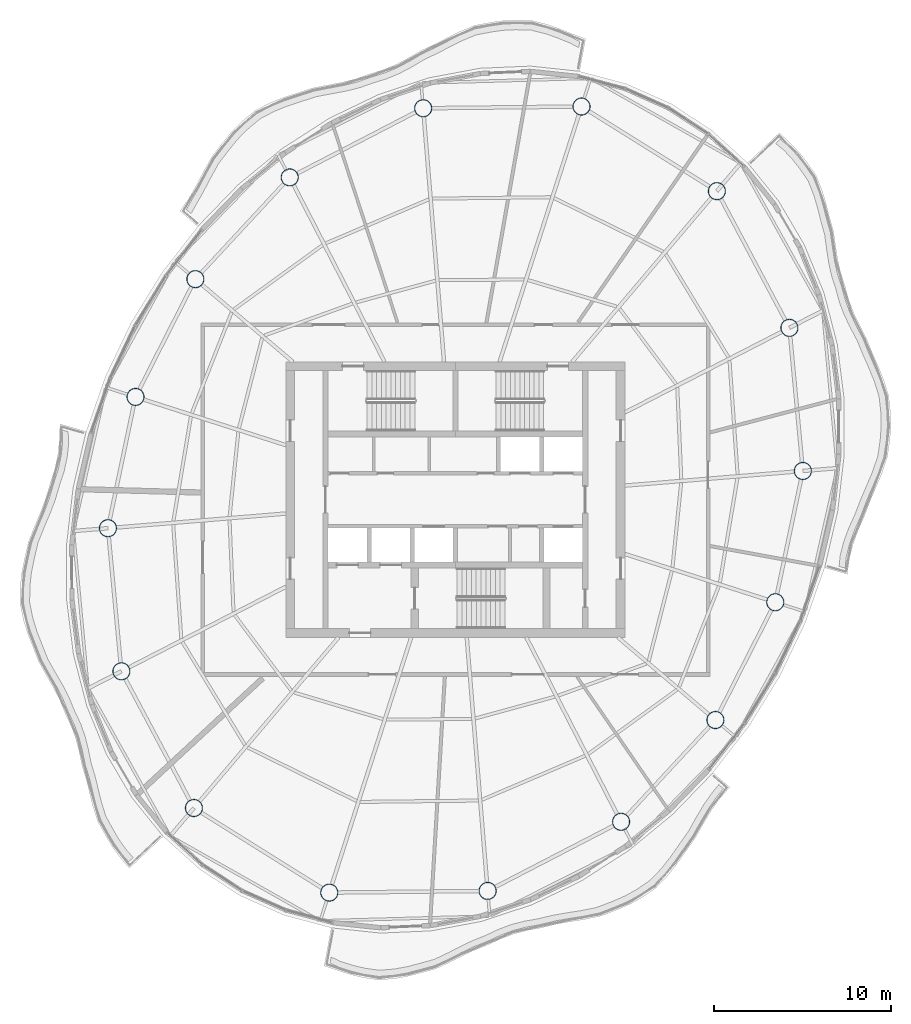
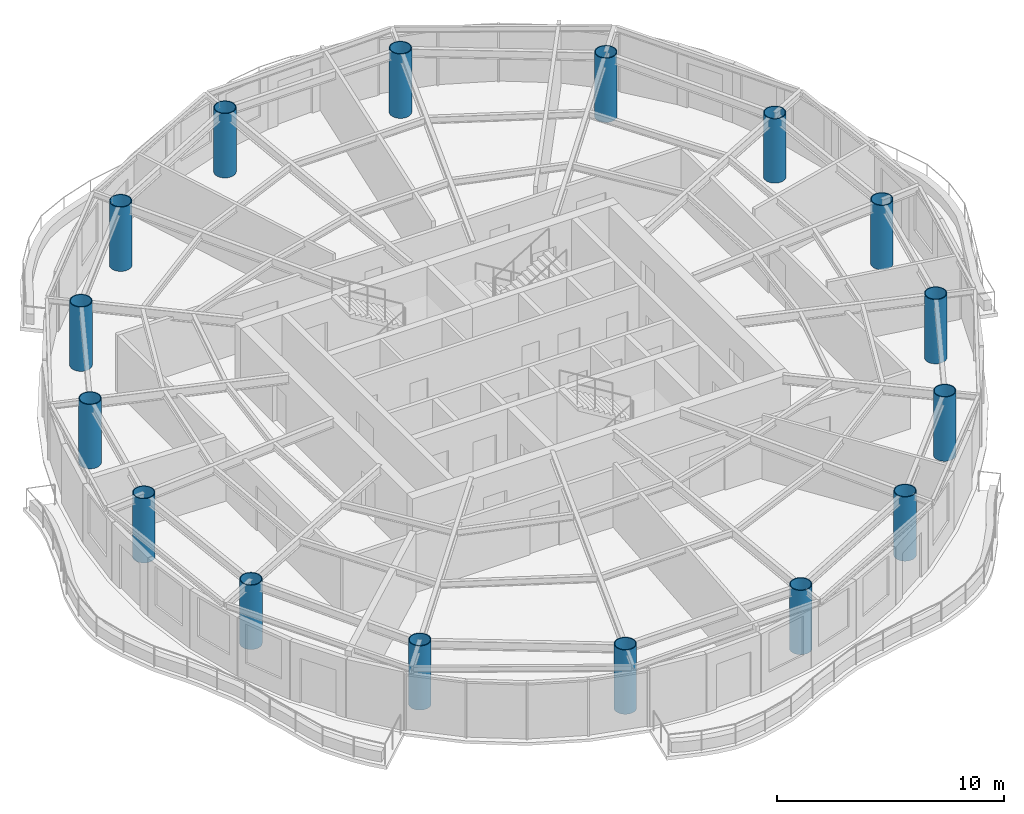
# One storey, part 1 of 13: 16 columns.
"""IFC4 building model written with IfcOpenShell, lengths in metres."""

from ifc_helpers import new_model, si_unit, direction, frame, origin, origin_2d, place, context, subcontext, project, spatial, hollow_circle, extrude, material, material_profile, profile_set, type_object, element, save


model = new_model("IFC4")

# Units and contexts
model_context = context("Model", 3, precision=1e-05, world=origin(), true_north=direction((0.0, 1.0)))
body_context = subcontext(model_context, "Body", "Model", "MODEL_VIEW")
ifc_project = project(units=[si_unit("LENGTHUNIT", "METRE"), si_unit("AREAUNIT", "SQUARE_METRE"), si_unit("VOLUMEUNIT", "CUBIC_METRE"), si_unit("PLANEANGLEUNIT", "RADIAN"), si_unit("MASSUNIT", "GRAM", prefix="KILO")], contexts=[model_context])

# Site, building, storey
site_placement = place(None, origin())
site = spatial("IfcSite", under=ifc_project, at=site_placement, CompositionType="ELEMENT")
building_placement = place(site_placement, origin())
building = spatial("IfcBuilding", under=site, at=building_placement, Name="Vermilion Reach Broadcast Tower", CompositionType="ELEMENT")
storey_placement = place(building_placement, frame((0.0, 0.0, 279.300048828125)))
storey = spatial("IfcBuildingStorey", under=building, at=storey_placement, Name="L69", CompositionType="ELEMENT", Elevation=279.300048828125)

# Columns
ifc_material = material(Name="Concrete C60 infill in steel S460NL tube", Category="concrete")
ifc_material_profile = material_profile(ifc_material, hollow_circle(Radius=0.5, WallThickness=0.0400390625, at=origin_2d()), Name="Concrete C60 infill in steel S460NL tube CFT 1000x40")
ifc_profile_set = profile_set([ifc_material_profile], Name="Concrete C60 infill in steel S460NL tube")
column_type = type_object("IfcColumnType", Name="MC5 CFT 1000x40", PredefinedType="COLUMN", material=ifc_profile_set)
for number, where, z_axis, x_axis, name in (
    (1, (1.138427734375, 22.2470703125, 0.0), (0.0, 0.0, 1.0), (1.0, 0.0, 0.0), "Mega-column MC5-01"),
    (2, (-7.824951171875, 22.1494140625, 0.0), (0.0, 0.0, 1.0), (1.0, 0.0, 0.0), "Mega-column MC5-02"),
    (3, (-15.376953125, 18.23779296875, 0.0), (0.0, 0.0, 1.0), (1.0, 0.0, 0.0), "Mega-column MC5-03"),
    (4, (-20.717529296875, 12.476806640625, 0.0), (0.0, 0.0, 1.0), (1.0, 0.0, 0.0), "Mega-column MC5-04"),
    (5, (-24.10595703125, 5.809814453125, 0.0), (0.0, 0.0, 1.0), (1.0, 0.0, 0.0), "Mega-column MC5-05"),
    (6, (-25.665771484375, -1.620361328125, 0.0), (0.0, 0.0, 1.0), (1.0, 0.0, 0.0), "Mega-column MC5-06"),
    (7, (-24.905517578125, -9.72021484375, 0.0), (0.0, 0.0, 1.0), (1.0, 0.0, 0.0), "Mega-column MC5-07"),
    (8, (-20.799560546875, -17.457275390625, 0.0), (0.0, 0.0, 1.0), (1.0, 0.0, 0.0), "Mega-column MC5-08"),
    (9, (-13.138427734375, -22.2470703125, 0.0), (0.0, 0.0, 1.0), (1.0, 0.0, 0.0), "Mega-column MC5-09"),
    (10, (-4.175048828125, -22.1494140625, 0.0), (0.0, 0.0, 1.0), (1.0, 0.0, 0.0), "Mega-column MC5-10"),
    (11, (3.376953125, -18.23779296875, 0.0), (0.0, 0.0, 1.0), (1.0, 0.0, 0.0), "Mega-column MC5-11"),
    (12, (8.717529296875, -12.476806640625, 0.0), (0.0, 0.0, 1.0), (1.0, 0.0, 0.0), "Mega-column MC5-12"),
    (13, (12.10595703125, -5.809814453125, 0.0), (0.0, 0.0, 1.0), (1.0, 0.0, 0.0), "Mega-column MC5-13"),
    (14, (13.665771484375, 1.620361328125, 0.0), (0.0, 0.0, 1.0), (1.0, 0.0, 0.0), "Mega-column MC5-14"),
    (15, (12.905517578125, 9.72021484375, 0.0), (0.0, 0.0, 1.0), (1.0, 0.0, 0.0), "Mega-column MC5-15"),
    (16, (8.799560546875, 17.457275390625, 0.0), (0.0, 0.0, 1.0), (1.0, 0.0, 0.0), "Mega-column MC5-16"),
):
    element("IfcColumn", number, at=place(storey_placement, frame(where, z_axis=z_axis, x_axis=x_axis)), inside=storey, type_object=column_type, Name=name, PredefinedType="COLUMN", context=body_context, shape_type="SweptSolid", body=[
        extrude(hollow_circle(Radius=0.5, WallThickness=0.0400390625, at=origin_2d()), origin(), (0.0, 0.0, 1.0), 3.449951171875),
    ])

save(model, "model.ifc")
